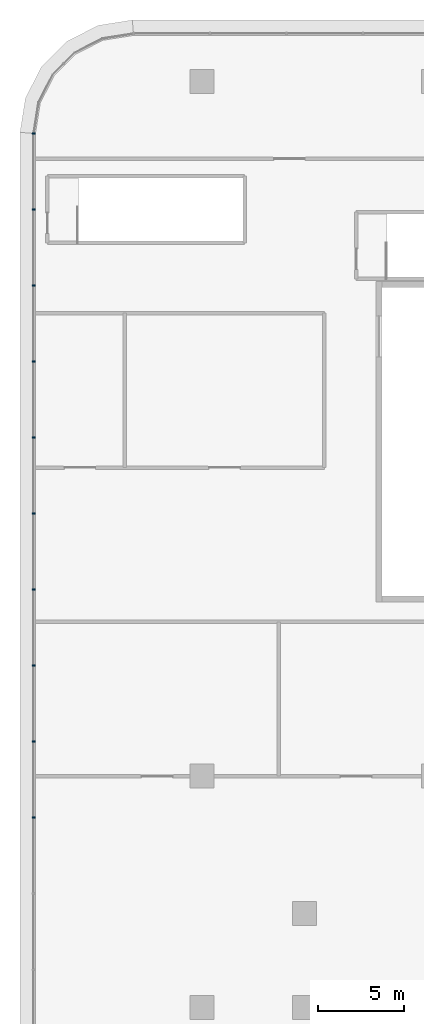
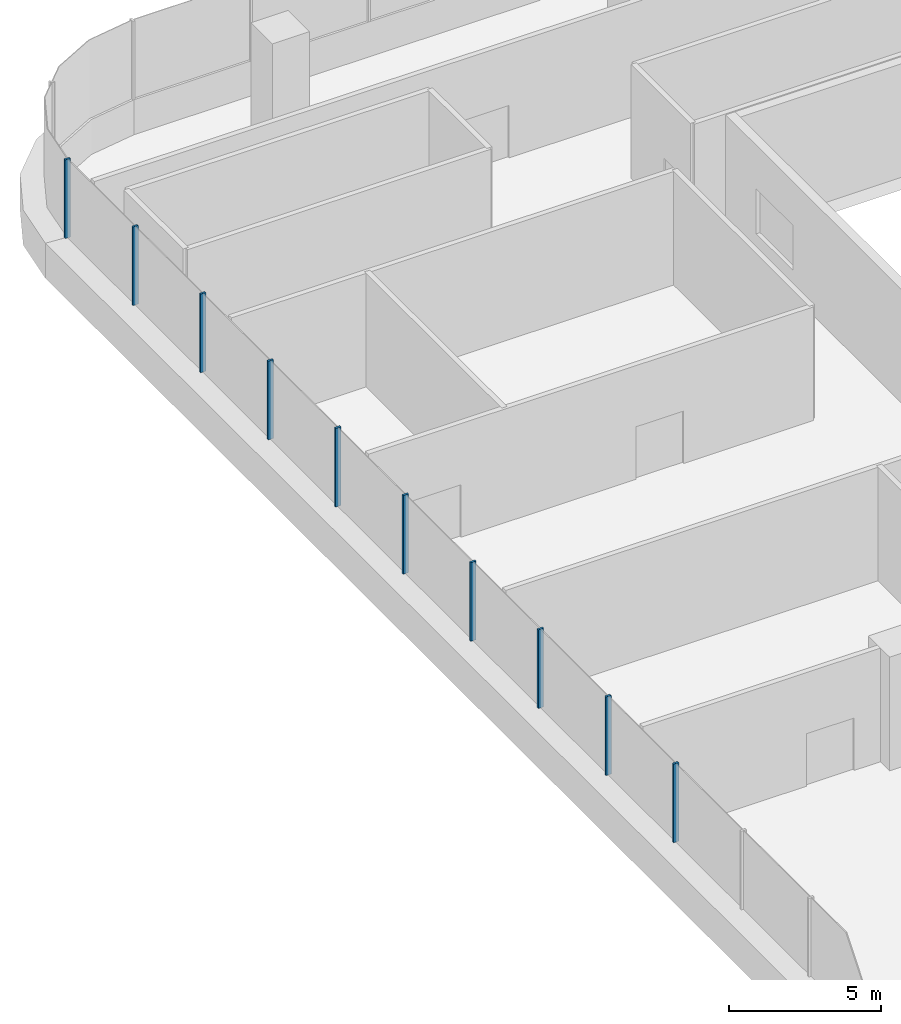
# One storey, part 12 of 38: 10 members, 1 element without a shape of its own.
"""IFC4 building model written with IfcOpenShell, lengths in metres."""

from ifc_helpers import new_model, si_unit, direction, frame, origin, origin_2d, place, context, subcontext, project, spatial, rectangle, extrude, material, layer, layer_set, material_profile, profile_set, type_object, element, aggregate, save


model = new_model("IFC4")

# Units and contexts
model_context = context("Model", 3, precision=1e-05, world=origin(), true_north=direction((0.0, 1.0)))
body_context = subcontext(model_context, "Body", "Model", "MODEL_VIEW")
ifc_project = project(units=[si_unit("LENGTHUNIT", "METRE"), si_unit("AREAUNIT", "SQUARE_METRE"), si_unit("VOLUMEUNIT", "CUBIC_METRE"), si_unit("PLANEANGLEUNIT", "RADIAN"), si_unit("MASSUNIT", "GRAM", prefix="KILO")], contexts=[model_context])

# Site, building, storey
site_placement = place(None, origin())
site = spatial("IfcSite", under=ifc_project, at=site_placement, CompositionType="ELEMENT")
building_placement = place(site_placement, origin())
building = spatial("IfcBuilding", under=site, at=building_placement, Name="Tamarind Cross Interchange Tower", CompositionType="ELEMENT")
storey_placement = place(building_placement, frame((0.0, 0.0, 20.0)))
storey = spatial("IfcBuildingStorey", under=building, at=storey_placement, Name="L03", CompositionType="ELEMENT", Elevation=20.0)

# Curtain wall, members
ifc_material = material(Name="Aluminium 6063-T6", Category="aluminium")
ifc_layer = layer(ifc_material, 0.199951171875)
ifc_layer_set = layer_set([ifc_layer], Name="Aluminium 6063-T6")
curtain_wall_type = type_object("IfcCurtainWallType", Name="Podium shopfront and station curtain wall", PredefinedType="NOTDEFINED", material=ifc_layer_set)
curtain_wall_placement = place(storey_placement, origin())
curtain_wall = element("IfcCurtainWall", 1, at=curtain_wall_placement, inside=storey, type_object=curtain_wall_type, Name="CWS-L03-04", PredefinedType="NOTDEFINED")
ifc_material_profile = material_profile(ifc_material, rectangle(XDim=0.080078125, YDim=0.199951171875, at=origin_2d()), Name="Mullion CW3")
ifc_profile_set = profile_set([ifc_material_profile], Name="Aluminium 6063-T6")
member_type = type_object("IfcMemberType", Name="Mullion CW3", PredefinedType="MULLION", material=ifc_profile_set)
member_1_placement = place(storey_placement, frame((-63.800048828125, 50.984375, 1.39990234375), z_axis=(0.0, 0.0, 1.0), x_axis=(-0.078459095728, -0.996917333733, 0.0)))
member_1 = element("IfcMember", 2, at=member_1_placement, type_object=member_type, Name="CWM-L03-04-00", PredefinedType="MULLION", context=body_context, shape_type="SweptSolid", body=[
    extrude(rectangle(XDim=0.080078125, YDim=0.199951171875, at=origin_2d()), origin(), (0.0, 0.0, 1.0), 3.150146484375),
])
member_2_placement = place(storey_placement, frame((-63.800048828125, 46.55078125, 1.39990234375), z_axis=(0.0, 0.0, 1.0), x_axis=(0.0, -1.0, 0.0)))
member_2 = element("IfcMember", 3, at=member_2_placement, type_object=member_type, Name="CWM-L03-04-01", PredefinedType="MULLION", context=body_context, shape_type="SweptSolid", body=[
    extrude(rectangle(XDim=0.080078125, YDim=0.199951171875, at=origin_2d()), origin(), (0.0, 0.0, 1.0), 3.150146484375),
])
member_3_placement = place(storey_placement, frame((-63.800048828125, 42.117431640625, 1.39990234375), z_axis=(0.0, 0.0, 1.0), x_axis=(0.0, -1.0, 0.0)))
member_3 = element("IfcMember", 4, at=member_3_placement, type_object=member_type, Name="CWM-L03-04-02", PredefinedType="MULLION", context=body_context, shape_type="SweptSolid", body=[
    extrude(rectangle(XDim=0.080078125, YDim=0.199951171875, at=origin_2d()), origin(), (0.0, 0.0, 1.0), 3.150146484375),
])
member_4_placement = place(storey_placement, frame((-63.800048828125, 37.68408203125, 1.39990234375), z_axis=(0.0, 0.0, 1.0), x_axis=(0.0, -1.0, 0.0)))
member_4 = element("IfcMember", 5, at=member_4_placement, type_object=member_type, Name="CWM-L03-04-03", PredefinedType="MULLION", context=body_context, shape_type="SweptSolid", body=[
    extrude(rectangle(XDim=0.080078125, YDim=0.199951171875, at=origin_2d()), origin(), (0.0, 0.0, 1.0), 3.150146484375),
])
member_5_placement = place(storey_placement, frame((-63.800048828125, 33.25048828125, 1.39990234375), z_axis=(0.0, 0.0, 1.0), x_axis=(0.0, -1.0, 0.0)))
member_5 = element("IfcMember", 6, at=member_5_placement, type_object=member_type, Name="CWM-L03-04-04", PredefinedType="MULLION", context=body_context, shape_type="SweptSolid", body=[
    extrude(rectangle(XDim=0.080078125, YDim=0.199951171875, at=origin_2d()), origin(), (0.0, 0.0, 1.0), 3.150146484375),
])
member_6_placement = place(storey_placement, frame((-63.800048828125, 28.817138671875, 1.39990234375), z_axis=(0.0, 0.0, 1.0), x_axis=(0.0, -1.0, 0.0)))
member_6 = element("IfcMember", 7, at=member_6_placement, type_object=member_type, Name="CWM-L03-04-05", PredefinedType="MULLION", context=body_context, shape_type="SweptSolid", body=[
    extrude(rectangle(XDim=0.080078125, YDim=0.199951171875, at=origin_2d()), origin(), (0.0, 0.0, 1.0), 3.150146484375),
])
member_7_placement = place(storey_placement, frame((-63.800048828125, 24.3837890625, 1.39990234375), z_axis=(0.0, 0.0, 1.0), x_axis=(0.0, -1.0, 0.0)))
member_7 = element("IfcMember", 8, at=member_7_placement, type_object=member_type, Name="CWM-L03-04-06", PredefinedType="MULLION", context=body_context, shape_type="SweptSolid", body=[
    extrude(rectangle(XDim=0.080078125, YDim=0.199951171875, at=origin_2d()), origin(), (0.0, 0.0, 1.0), 3.150146484375),
])
member_8_placement = place(storey_placement, frame((-63.800048828125, 19.950439453125, 1.39990234375), z_axis=(0.0, 0.0, 1.0), x_axis=(0.0, -1.0, 0.0)))
member_8 = element("IfcMember", 9, at=member_8_placement, type_object=member_type, Name="CWM-L03-04-07", PredefinedType="MULLION", context=body_context, shape_type="SweptSolid", body=[
    extrude(rectangle(XDim=0.080078125, YDim=0.199951171875, at=origin_2d()), origin(), (0.0, 0.0, 1.0), 3.150146484375),
])
member_9_placement = place(storey_placement, frame((-63.800048828125, 15.516845703125, 1.39990234375), z_axis=(0.0, 0.0, 1.0), x_axis=(0.0, -1.0, 0.0)))
member_9 = element("IfcMember", 10, at=member_9_placement, type_object=member_type, Name="CWM-L03-04-08", PredefinedType="MULLION", context=body_context, shape_type="SweptSolid", body=[
    extrude(rectangle(XDim=0.080078125, YDim=0.199951171875, at=origin_2d()), origin(), (0.0, 0.0, 1.0), 3.150146484375),
])
member_10_placement = place(storey_placement, frame((-63.800048828125, 11.08349609375, 1.39990234375), z_axis=(0.0, 0.0, 1.0), x_axis=(0.0, -1.0, 0.0)))
member_10 = element("IfcMember", 11, at=member_10_placement, type_object=member_type, Name="CWM-L03-04-09", PredefinedType="MULLION", context=body_context, shape_type="SweptSolid", body=[
    extrude(rectangle(XDim=0.080078125, YDim=0.199951171875, at=origin_2d()), origin(), (0.0, 0.0, 1.0), 3.150146484375),
])
aggregate(curtain_wall, [member_1, member_2, member_3, member_4, member_5, member_6, member_7, member_8, member_9, member_10])

save(model, "model.ifc")
